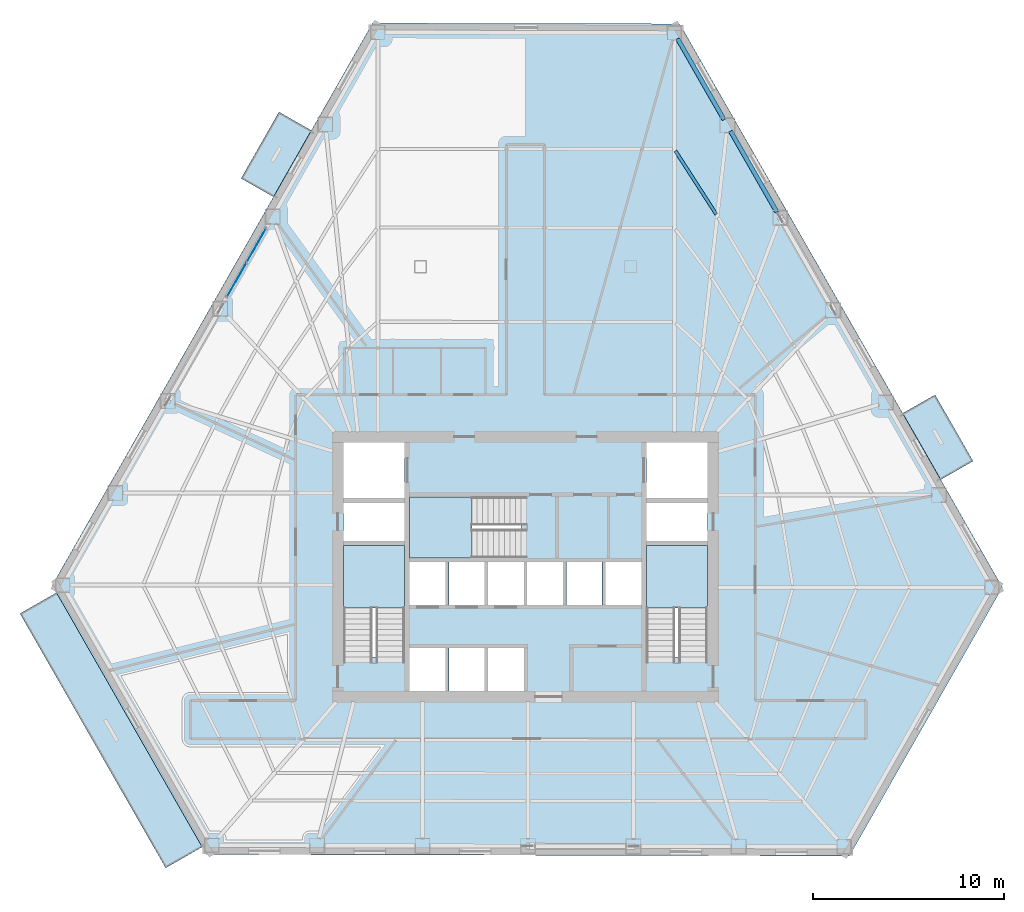
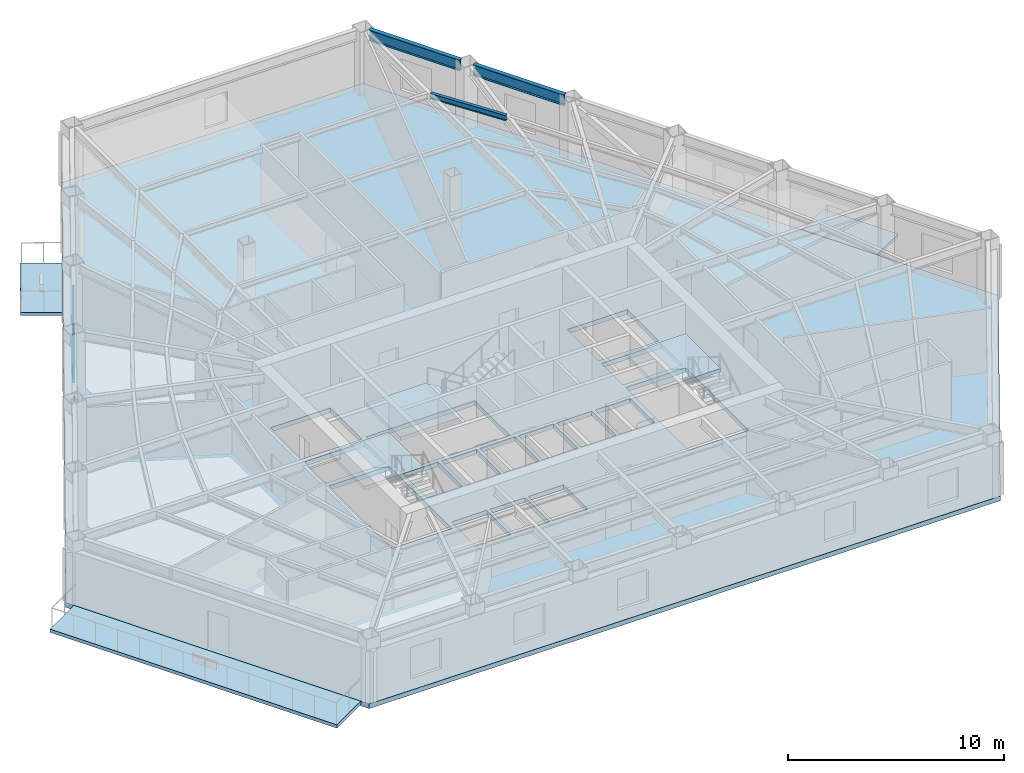
# One storey, part 5 of 14: 7 slabs, 3 beams, 2 plates, 4 elements without a shape of their own.
"""IFC4 building model written with IfcOpenShell, lengths in metres."""

from ifc_helpers import new_model, si_unit, direction, frame, origin, origin_2d, place, context, subcontext, project, spatial, polyline, rectangle, i_section, outline, extrude, material, layer, layer_set, material_profile, profile_set, type_object, element, aggregate, save


model = new_model("IFC4")

# Units and contexts
model_context = context("Model", 3, precision=1e-05, world=origin(), true_north=direction((0.0, 1.0)))
body_context = subcontext(model_context, "Body", "Model", "MODEL_VIEW")
ifc_project = project(units=[si_unit("LENGTHUNIT", "METRE"), si_unit("AREAUNIT", "SQUARE_METRE"), si_unit("VOLUMEUNIT", "CUBIC_METRE"), si_unit("PLANEANGLEUNIT", "RADIAN"), si_unit("MASSUNIT", "GRAM", prefix="KILO")], contexts=[model_context])

# Site, building, storey
site_placement = place(None, origin())
site = spatial("IfcSite", under=ifc_project, at=site_placement, CompositionType="ELEMENT")
building_placement = place(site_placement, origin())
building = spatial("IfcBuilding", under=site, at=building_placement, Name="Kavelnor Concourse Tower", CompositionType="ELEMENT")
storey_placement = place(building_placement, frame((0.0, 0.0, 32.949951171875)))
storey = spatial("IfcBuildingStorey", under=building, at=storey_placement, Name="L08", CompositionType="ELEMENT", Elevation=32.949951171875)

# Beams
ifc_material_1 = material(Name="Steel Grade 350", Category="steel")
ifc_material_profile_1 = material_profile(ifc_material_1, i_section(OverallWidth=0.166015625, OverallDepth=0.306884765625, WebThickness=0.006591796875, FlangeThickness=0.01171875, at=origin_2d()), Name="310UB46")
ifc_profile_set_1 = profile_set([ifc_material_profile_1], Name="Steel Grade 350")
beam_type_1 = type_object("IfcBeamType", Name="BM-JOIST-310", PredefinedType="JOIST", material=ifc_profile_set_1)
beam_placement = place(storey_placement, frame((47.981201171875, 34.54345703125, 3.4365234375), z_axis=(-0.541808226974, 0.840502138714, 0.0), x_axis=(-0.840502138714, -0.541808226974, 0.0)))
element("IfcBeam", 1, at=beam_placement, inside=storey, type_object=beam_type_1, Name="L08 Secondary Composite Joist 14-3", PredefinedType="JOIST", context=body_context, shape_type="SweptSolid", body=[
    extrude(i_section(OverallWidth=0.166015625, OverallDepth=0.306884765625, WebThickness=0.006591796875, FlangeThickness=0.01171875, at=origin_2d()), origin(), (0.0, 0.0, 1.0), 3.944580078125),
])
ifc_material_profile_2 = material_profile(ifc_material_1, i_section(OverallWidth=0.22900390625, OverallDepth=0.612060546875, WebThickness=0.011962890625, FlangeThickness=0.01953125, at=origin_2d()), Name="610UB125")
ifc_profile_set_2 = profile_set([ifc_material_profile_2], Name="Steel Grade 350")
beam_type_2 = type_object("IfcBeamType", Name="BM-SPANDREL-Z1", PredefinedType="SPANDREL", material=ifc_profile_set_2)
for number, where, z_axis, x_axis, name in (
    (2, (51.156494140625, 34.660400390625, 3.283935546875), (-0.496979008668, 0.867762562538, 0.0), (-0.867762562538, -0.496979008668, 0.0), "L08 Perimeter Tube Spandrel Beam F2-B4"),
    (3, (48.3876953125, 39.494873046875, 3.283935546875), (-0.496919773691, 0.867796484503, 0.0), (-0.867796484503, -0.496919773691, 0.0), "L08 Perimeter Tube Spandrel Beam F2-B5"),
):
    element("IfcBeam", number, at=place(storey_placement, frame(where, z_axis=z_axis, x_axis=x_axis)), inside=storey, type_object=beam_type_2, Name=name, PredefinedType="SPANDREL", context=body_context, shape_type="SweptSolid", body=[
        extrude(i_section(OverallWidth=0.22900390625, OverallDepth=0.612060546875, WebThickness=0.011962890625, FlangeThickness=0.01953125, at=origin_2d()), origin(), (0.0, 0.0, 1.0), 4.881103515625),
    ])

# Curtain wall, plates
ifc_material_2 = material(Name="Anodised aluminium 6063-T6", Category="aluminium")
ifc_layer_1 = layer(ifc_material_2, 0.139892578125, Name="Anodised aluminium 6063-T6")
ifc_layer_set_1 = layer_set([ifc_layer_1], Name="Anodised aluminium 6063-T6")
curtain_wall_type = type_object("IfcCurtainWallType", Name="CW-TERRACE-PAVILION", PredefinedType="NOTDEFINED", material=ifc_layer_set_1)
curtain_wall_placement = place(storey_placement, origin())
curtain_wall = element("IfcCurtainWall", 4, at=curtain_wall_placement, inside=storey, type_object=curtain_wall_type, Name="L08 Terrace Pavilion Curtain Wall", PredefinedType="NOTDEFINED")
ifc_material_3 = material(Name="Double low-E argon insulated glazing", Category="glass")
ifc_layer_2 = layer(ifc_material_3, 0.02392578125, Name="Double low-E argon insulated glazing")
ifc_layer_set_2 = layer_set([ifc_layer_2], Name="Double low-E argon insulated glazing")
plate_type = type_object("IfcPlateType", Name="CW-TERRACE-PAVILION-PANEL", PredefinedType="CURTAIN_PANEL", material=ifc_layer_set_2)
plate_1_placement = place(storey_placement, frame((23.917236328125, 32.911865234375, 0.06005859375), z_axis=(0.0, 0.0, 1.0), x_axis=(-0.495003786139, -0.868890816908, 0.0)))
plate_1 = element("IfcPlate", 5, at=plate_1_placement, type_object=plate_type, Name="L08 Terrace Pavilion Curtain Wall Vision Panel 1", PredefinedType="CURTAIN_PANEL", context=body_context, shape_type="SweptSolid", body=[
    extrude(rectangle(XDim=2.025634765625, YDim=0.02392578125, at=origin_2d()), origin(), (0.0, 0.0, 1.0), 2.6298828125),
])
plate_2_placement = place(storey_placement, frame((22.890380859375, 31.109130859375, 0.06005859375), z_axis=(0.0, 0.0, 1.0), x_axis=(-0.495003786139, -0.868890816908, 0.0)))
plate_2 = element("IfcPlate", 6, at=plate_2_placement, type_object=plate_type, Name="L08 Terrace Pavilion Curtain Wall Vision Panel 2", PredefinedType="CURTAIN_PANEL", context=body_context, shape_type="SweptSolid", body=[
    extrude(rectangle(XDim=2.025634765625, YDim=0.02392578125, at=origin_2d()), origin(), (0.0, 0.0, 1.0), 2.6298828125),
])
aggregate(curtain_wall, [plate_1, plate_2])

# Slabs
ifc_material_4 = material(Name="Concrete C40/50", Category="concrete")
ifc_layer_3 = layer(ifc_material_4, 0.169921875, Name="Concrete C40/50")
ifc_layer_set_3 = layer_set([ifc_layer_3], Name="Concrete C40/50")
slab_type_1 = type_object("IfcSlabType", Name="SLB-BALCONY-170", PredefinedType="FLOOR", material=ifc_layer_set_3)
slab_1_placement = place(storey_placement, frame((0.0, 0.0, -0.169921875)))
element("IfcSlab", 7, at=slab_1_placement, inside=storey, type_object=slab_type_1, Name="L08 Cantilevered Tree Balcony Slab 1", PredefinedType="FLOOR", context=body_context, shape_type="SweptSolid", body=[
    extrude(outline(polyline([(59.43212890625, 25.099609375), (61.419921875, 21.62841796875), (59.727783203125, 20.6591796875), (57.739990234375, 24.13037109375), (59.43212890625, 25.099609375)])), origin(), (0.0, 0.0, 1.0), 0.169921875),
])
slab_2_placement = place(storey_placement, frame((0.0, 0.0, -0.169921875)))
element("IfcSlab", 8, at=slab_2_placement, inside=storey, type_object=slab_type_1, Name="L08 Cantilevered Tree Balcony Slab 2", PredefinedType="FLOOR", context=body_context, shape_type="SweptSolid", body=[
    extrude(outline(polyline([(23.119384765625, 36.419921875), (25.099365234375, 39.8955078125), (26.793701171875, 38.930419921875), (24.813720703125, 35.45458984375), (23.119384765625, 36.419921875)])), origin(), (0.0, 0.0, 1.0), 0.169921875),
])

# Stair, slab
stair_type = type_object("IfcStairType", Name="STR-CORE-1500", PredefinedType="HALF_TURN_STAIR", material=ifc_material_4)
stair_1_placement = place(storey_placement, origin())
stair_1 = element("IfcStair", 9, at=stair_1_placement, inside=storey, type_object=stair_type, Name="L08 ST1", PredefinedType="HALF_TURN_STAIR")
ifc_layer_4 = layer(ifc_material_4, 0.199951171875, Name="Concrete C40/50")
ifc_layer_set_4 = layer_set([ifc_layer_4], Name="Concrete C40/50")
slab_type_2 = type_object("IfcSlabType", Name="SLB-LANDING-200", PredefinedType="LANDING", material=ifc_layer_set_4)
slab_3_placement = place(storey_placement, frame((0.0, 0.0, 1.72509765625)))
slab_3 = element("IfcSlab", 10, at=slab_3_placement, type_object=slab_type_2, Name="ST1 landing 1", PredefinedType="LANDING", context=body_context, shape_type="SweptSolid", body=[
    extrude(outline(polyline([(31.679931640625, 13.949951171875), (31.679931640625, 17.199951171875), (28.47998046875, 17.199951171875), (28.47998046875, 13.949951171875), (31.679931640625, 13.949951171875)])), origin(), (0.0, 0.0, 1.0), 0.199951171875),
])
aggregate(stair_1, [slab_3])

stair_2_placement = place(storey_placement, origin())
stair_2 = element("IfcStair", 11, at=stair_2_placement, inside=storey, type_object=stair_type, Name="L08 ST2", PredefinedType="HALF_TURN_STAIR")
slab_4_placement = place(storey_placement, frame((0.0, 0.0, 1.72509765625)))
slab_4 = element("IfcSlab", 12, at=slab_4_placement, type_object=slab_type_2, Name="ST2 landing 1", PredefinedType="LANDING", context=body_context, shape_type="SweptSolid", body=[
    extrude(outline(polyline([(47.52001953125, 13.949951171875), (47.52001953125, 17.199951171875), (44.320068359375, 17.199951171875), (44.320068359375, 13.949951171875), (47.52001953125, 13.949951171875)])), origin(), (0.0, 0.0, 1.0), 0.199951171875),
])
aggregate(stair_2, [slab_4])

stair_3_placement = place(storey_placement, origin())
stair_3 = element("IfcStair", 13, at=stair_3_placement, inside=storey, type_object=stair_type, Name="L08 ST3", PredefinedType="HALF_TURN_STAIR")
slab_5_placement = place(storey_placement, frame((0.0, 0.0, 1.72509765625)))
slab_5 = element("IfcSlab", 14, at=slab_5_placement, type_object=slab_type_2, Name="ST3 landing 1", PredefinedType="LANDING", context=body_context, shape_type="SweptSolid", body=[
    extrude(outline(polyline([(35.18994140625, 19.760009765625), (31.93994140625, 19.760009765625), (31.93994140625, 16.56005859375), (35.18994140625, 16.56005859375), (35.18994140625, 19.760009765625)])), origin(), (0.0, 0.0, 1.0), 0.199951171875),
])
aggregate(stair_3, [slab_5])

# Slabs
ifc_layer_5 = layer(ifc_material_4, 0.260009765625, Name="Concrete C40/50")
ifc_layer_set_5 = layer_set([ifc_layer_5], Name="Concrete C40/50")
slab_type_3 = type_object("IfcSlabType", Name="SLB-OFFICE-260", PredefinedType="FLOOR", material=ifc_layer_set_5)
slab_6_placement = place(storey_placement, frame((0.0, 0.0, -0.260009765625)))
element("IfcSlab", 15, at=slab_6_placement, inside=storey, type_object=slab_type_3, Name="L08 Composite Structural Floor Slab", PredefinedType="FLOOR", context=body_context, shape_type="SweptSolid", body=[
    extrude(outline(polyline([(46.069091796875, 44.509521484375), (29.992919921875, 44.54541015625), (13.236328125, 15.134033203125), (21.305419921875, 1.0439453125), (54.9482421875, 0.968994140625), (62.955322265625, 15.023193359375), (46.069091796875, 44.509521484375)]), holes=[polyline([(28.47998046875, 11.3798828125), (31.679931640625, 11.3798828125), (31.679931640625, 17.199951171875), (28.47998046875, 17.199951171875), (28.47998046875, 11.3798828125)]), polyline([(44.320068359375, 11.3798828125), (47.52001953125, 11.3798828125), (47.52001953125, 17.199951171875), (44.320068359375, 17.199951171875), (44.320068359375, 11.3798828125)]), polyline([(31.93994140625, 16.56005859375), (37.760009765625, 16.56005859375), (37.760009765625, 19.760009765625), (31.93994140625, 19.760009765625), (31.93994140625, 16.56005859375)]), polyline([(28.47998046875, 19.699951171875), (31.679931640625, 19.699951171875), (31.679931640625, 22.60009765625), (28.47998046875, 22.60009765625), (28.47998046875, 19.699951171875)]), polyline([(44.320068359375, 19.699951171875), (47.52001953125, 19.699951171875), (47.52001953125, 22.60009765625), (44.320068359375, 22.60009765625), (44.320068359375, 19.699951171875)]), polyline([(31.93994140625, 14.10009765625), (33.81005859375, 14.10009765625), (33.81005859375, 16.340087890625), (31.93994140625, 16.340087890625), (31.93994140625, 14.10009765625)]), polyline([(33.989990234375, 14.10009765625), (35.860107421875, 14.10009765625), (35.860107421875, 16.340087890625), (33.989990234375, 16.340087890625), (33.989990234375, 14.10009765625)]), polyline([(36.0400390625, 14.10009765625), (37.909912109375, 14.10009765625), (37.909912109375, 16.340087890625), (36.0400390625, 16.340087890625), (36.0400390625, 14.10009765625)]), polyline([(38.090087890625, 14.10009765625), (39.9599609375, 14.10009765625), (39.9599609375, 16.340087890625), (38.090087890625, 16.340087890625), (38.090087890625, 14.10009765625)]), polyline([(40.139892578125, 14.10009765625), (42.010009765625, 14.10009765625), (42.010009765625, 16.340087890625), (40.139892578125, 16.340087890625), (40.139892578125, 14.10009765625)]), polyline([(42.18994140625, 14.10009765625), (44.06005859375, 14.10009765625), (44.06005859375, 16.340087890625), (42.18994140625, 16.340087890625), (42.18994140625, 14.10009765625)]), polyline([(31.93994140625, 9.60009765625), (33.81005859375, 9.60009765625), (33.81005859375, 11.840087890625), (31.93994140625, 11.840087890625), (31.93994140625, 9.60009765625)]), polyline([(33.989990234375, 9.60009765625), (35.860107421875, 9.60009765625), (35.860107421875, 11.840087890625), (33.989990234375, 11.840087890625), (33.989990234375, 9.60009765625)]), polyline([(36.0400390625, 9.60009765625), (37.909912109375, 9.60009765625), (37.909912109375, 11.840087890625), (36.0400390625, 11.840087890625), (36.0400390625, 9.60009765625)]), polyline([(28.47998046875, 17.4599609375), (31.679931640625, 17.4599609375), (31.679931640625, 19.43994140625), (28.47998046875, 19.43994140625), (28.47998046875, 17.4599609375)]), polyline([(44.320068359375, 17.4599609375), (47.52001953125, 17.4599609375), (47.52001953125, 19.43994140625), (44.320068359375, 19.43994140625), (44.320068359375, 17.4599609375)])]), origin(), (0.0, 0.0, 1.0), 0.260009765625),
])
ifc_layer_6 = layer(ifc_material_4, 0.18994140625, Name="Concrete C40/50")
ifc_layer_set_6 = layer_set([ifc_layer_6], Name="Concrete C40/50")
slab_type_4 = type_object("IfcSlabType", Name="SLB-TERRACE-190", PredefinedType="FLOOR", material=ifc_layer_set_6)
slab_7_placement = place(storey_placement, frame((0.0, 0.0, -0.18994140625)))
element("IfcSlab", 16, at=slab_7_placement, inside=storey, type_object=slab_type_4, Name="L08 Spiralling Sky Terrace Slab", PredefinedType="FLOOR", context=body_context, shape_type="SweptSolid", body=[
    extrude(outline(polyline([(19.1728515625, 0.34130859375), (11.55078125, 13.650390625), (13.4599609375, 14.74365234375), (21.081787109375, 1.4345703125), (19.1728515625, 0.34130859375)])), origin(), (0.0, 0.0, 1.0), 0.18994140625),
])

save(model, "model.ifc")
